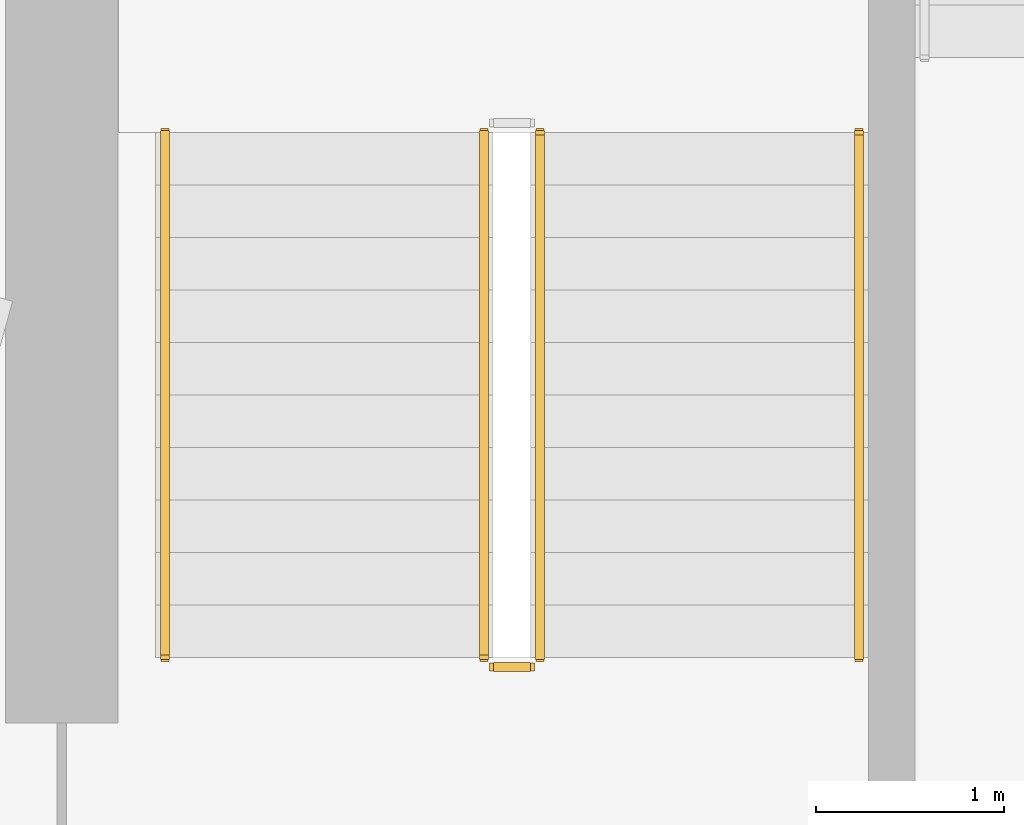
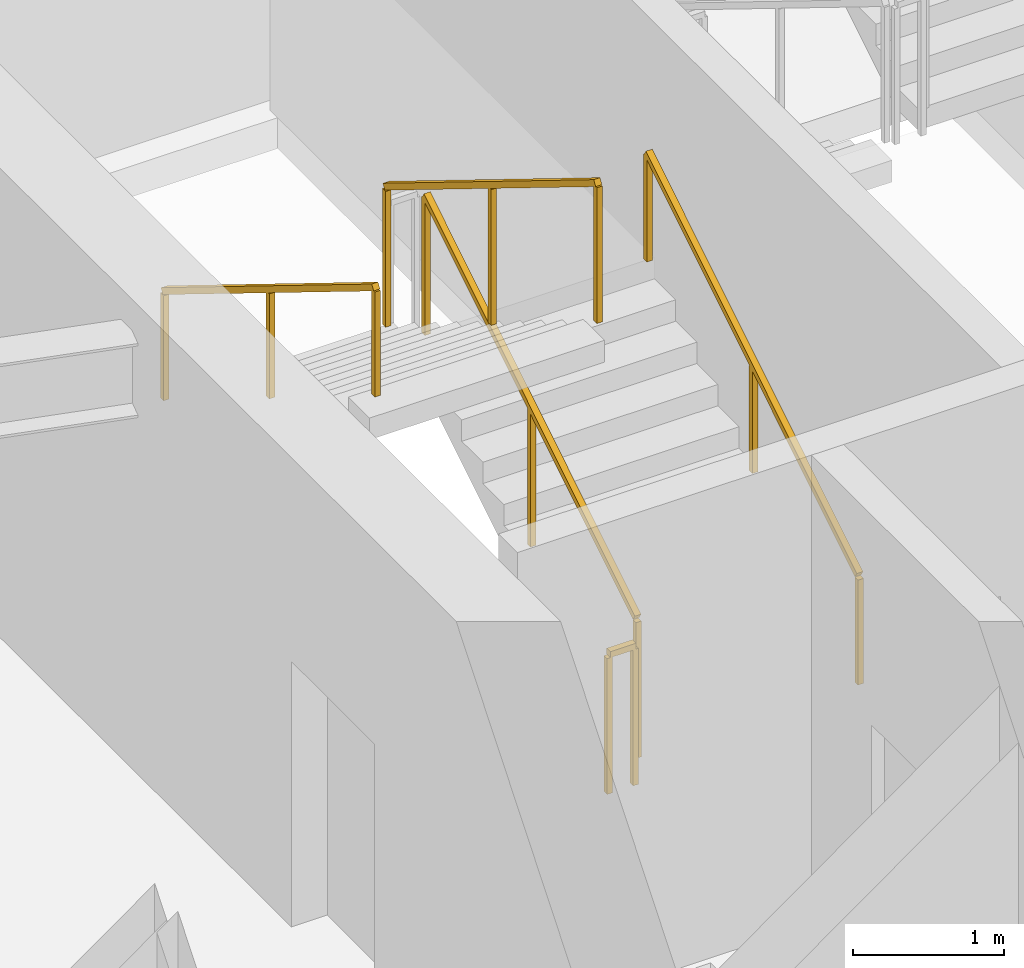
# One storey, part 26 of 29: 5 railings.
"""IFC4 building model written with IfcOpenShell, lengths in metres."""

from ifc_helpers import new_model, si_unit, direction, frame, origin, origin_2d, place, context, subcontext, project, spatial, rectangle, extrude, material, type_object, element, save


model = new_model("IFC4")

# Units and contexts
model_context = context("Model", 3, precision=1e-05, world=origin(), true_north=direction((0.0, 1.0)))
body_context = subcontext(model_context, "Body", "Model", "MODEL_VIEW")
ifc_project = project(units=[si_unit("LENGTHUNIT", "METRE"), si_unit("AREAUNIT", "SQUARE_METRE"), si_unit("VOLUMEUNIT", "CUBIC_METRE"), si_unit("PLANEANGLEUNIT", "RADIAN"), si_unit("MASSUNIT", "GRAM", prefix="KILO")], contexts=[model_context])

# Site, building, storey
site_placement = place(None, origin())
site = spatial("IfcSite", under=ifc_project, at=site_placement, CompositionType="ELEMENT")
building_placement = place(site_placement, origin())
building = spatial("IfcBuilding", under=site, at=building_placement, Name="Zuhravey Tower", CompositionType="ELEMENT")
storey_placement = place(building_placement, frame((0.0, 0.0, 246.39990234375)))
storey = spatial("IfcBuildingStorey", under=building, at=storey_placement, Name="L62", CompositionType="ELEMENT", Elevation=246.39990234375)

# Railings
ifc_material_1 = material(Name="Brushed stainless steel", Category="steel")
railing_type_1 = type_object("IfcRailingType", Name="Stair Wall Handrail 900", PredefinedType="HANDRAIL", material=ifc_material_1)
railing_1_placement = place(storey_placement, frame((29.75, 33.199951171875, 0.1728515625)))
element("IfcRailing", 1, at=railing_1_placement, inside=storey, type_object=railing_type_1, Name="L62 ST1 stair handrail 1", PredefinedType="HANDRAIL", context=body_context, shape_type="SweptSolid", body=[
    extrude(rectangle(XDim=0.048095703125, YDim=0.048095703125, at=origin_2d()), frame((0.0, 0.001708984375, 0.876953125), z_axis=(0.0, 0.851089632645, 0.525020415988), x_axis=(-1.0, 0.0, 0.0)), (0.0, 0.0, 1.0), 3.285888671875),
    extrude(rectangle(XDim=0.0419921875, YDim=0.0419921875, at=origin_2d()), origin(), (0.0, 0.0, 1.0), 0.849853515625),
    extrude(rectangle(XDim=0.0419921875, YDim=0.0419921875, at=origin_2d()), frame((0.0, 1.39990234375, 0.86376953125)), (0.0, 0.0, 1.0), 0.849853515625),
    extrude(rectangle(XDim=0.0419921875, YDim=0.0419921875, at=origin_2d()), frame((0.0, 2.800048828125, 1.727294921875)), (0.0, 0.0, 1.0), 0.849853515625),
])
railing_2_placement = place(storey_placement, frame((26.050048828125, 36.0, 2.07275390625)))
element("IfcRailing", 2, at=railing_2_placement, inside=storey, type_object=railing_type_1, Name="L62 ST1 stair handrail 2", PredefinedType="HANDRAIL", context=body_context, shape_type="SweptSolid", body=[
    extrude(rectangle(XDim=0.048095703125, YDim=0.048095703125, at=origin_2d()), frame((0.0, -0.001708984375, 0.876953125), z_axis=(0.0, -0.851089632645, 0.525020415988), x_axis=(1.0, 0.0, 0.0)), (0.0, 0.0, 1.0), 3.285888671875),
    extrude(rectangle(XDim=0.0419921875, YDim=0.0419921875, at=origin_2d()), origin(), (0.0, 0.0, 1.0), 0.849853515625),
    extrude(rectangle(XDim=0.0419921875, YDim=0.0419921875, at=origin_2d()), frame((0.0, -1.39990234375, 0.86376953125)), (0.0, 0.0, 1.0), 0.849853515625),
    extrude(rectangle(XDim=0.0419921875, YDim=0.0419921875, at=origin_2d()), frame((0.0, -2.800048828125, 1.727294921875)), (0.0, 0.0, 1.0), 0.849853515625),
])
ifc_material_2 = material(Name="Painted tubular steel", Category="steel")
railing_type_2 = type_object("IfcRailingType", Name="Stair Well Guardrail 1150", PredefinedType="GUARDRAIL", material=ifc_material_2)
railing_3_placement = place(storey_placement, frame((28.050048828125, 33.199951171875, 0.1728515625)))
element("IfcRailing", 3, at=railing_3_placement, inside=storey, type_object=railing_type_2, Name="L62 ST1 stair guard 1", PredefinedType="GUARDRAIL", context=body_context, shape_type="SweptSolid", body=[
    extrude(rectangle(XDim=0.048095703125, YDim=0.048095703125, at=origin_2d()), frame((0.0, 0.001708984375, 1.126953125), z_axis=(0.0, 0.851089632645, 0.525020415988), x_axis=(-1.0, 0.0, 0.0)), (0.0, 0.0, 1.0), 3.285888671875),
    extrude(rectangle(XDim=0.0419921875, YDim=0.0419921875, at=origin_2d()), origin(), (0.0, 0.0, 1.0), 1.099853515625),
    extrude(rectangle(XDim=0.0419921875, YDim=0.0419921875, at=origin_2d()), frame((0.0, 1.39990234375, 0.86376953125)), (0.0, 0.0, 1.0), 1.099853515625),
    extrude(rectangle(XDim=0.0419921875, YDim=0.0419921875, at=origin_2d()), frame((0.0, 2.800048828125, 1.727294921875)), (0.0, 0.0, 1.0), 1.099853515625),
])
railing_4_placement = place(storey_placement, frame((27.75, 36.0, 2.07275390625)))
element("IfcRailing", 4, at=railing_4_placement, inside=storey, type_object=railing_type_2, Name="L62 ST1 stair guard 3", PredefinedType="GUARDRAIL", context=body_context, shape_type="SweptSolid", body=[
    extrude(rectangle(XDim=0.048095703125, YDim=0.048095703125, at=origin_2d()), frame((0.0, -0.001708984375, 1.126953125), z_axis=(0.0, -0.851089632645, 0.525020415988), x_axis=(1.0, 0.0, 0.0)), (0.0, 0.0, 1.0), 3.285888671875),
    extrude(rectangle(XDim=0.0419921875, YDim=0.0419921875, at=origin_2d()), origin(), (0.0, 0.0, 1.0), 1.099853515625),
    extrude(rectangle(XDim=0.0419921875, YDim=0.0419921875, at=origin_2d()), frame((0.0, -1.39990234375, 0.86376953125)), (0.0, 0.0, 1.0), 1.099853515625),
    extrude(rectangle(XDim=0.0419921875, YDim=0.0419921875, at=origin_2d()), frame((0.0, -2.800048828125, 1.727294921875)), (0.0, 0.0, 1.0), 1.099853515625),
])
railing_5_placement = place(storey_placement, frame((28.0, 33.14990234375, 0.0)))
element("IfcRailing", 5, at=railing_5_placement, inside=storey, type_object=railing_type_2, Name="L62 ST1 stair guard 4", PredefinedType="GUARDRAIL", context=body_context, shape_type="SweptSolid", body=[
    extrude(rectangle(XDim=0.048095703125, YDim=0.048095703125, at=origin_2d()), frame((-0.001953125, 0.0, 1.1259765625), z_axis=(-1.0, 0.0, 0.0), x_axis=(0.0, -1.0, 0.0)), (0.0, 0.0, 1.0), 0.196044921875),
    extrude(rectangle(XDim=0.0419921875, YDim=0.0419921875, at=origin_2d()), origin(), (0.0, 0.0, 1.0), 1.099853515625),
    extrude(rectangle(XDim=0.0419921875, YDim=0.0419921875, at=origin_2d()), frame((-0.199951171875, 0.0, 0.0)), (0.0, 0.0, 1.0), 1.099853515625),
])

save(model, "model.ifc")
